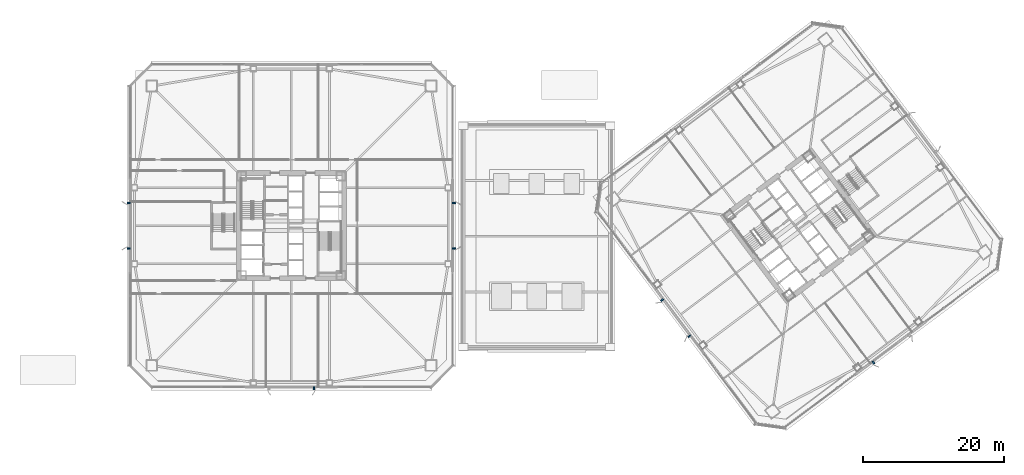
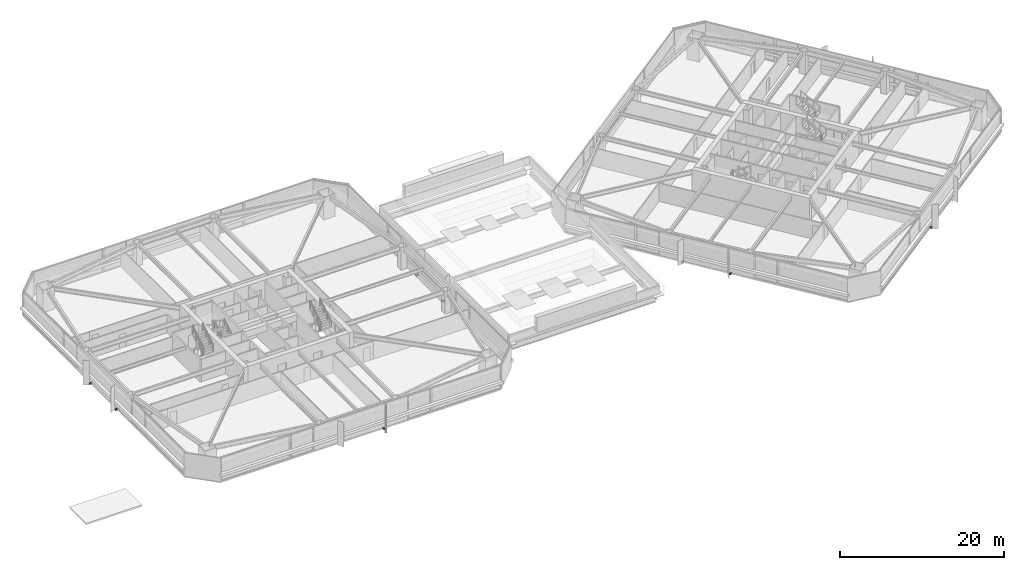
# One storey, part 49 of 62: 8 discrete accessories.
"""IFC4 building model written with IfcOpenShell, lengths in metres."""

from ifc_helpers import new_model, si_unit, direction, frame, origin, origin_2d, place, context, subcontext, project, spatial, rectangle, extrude, material, type_object, element, save


model = new_model("IFC4")

# Units and contexts
model_context = context("Model", 3, precision=1e-05, world=origin(), true_north=direction((0.0, 1.0)))
body_context = subcontext(model_context, "Body", "Model", "MODEL_VIEW")
ifc_project = project(units=[si_unit("LENGTHUNIT", "METRE"), si_unit("AREAUNIT", "SQUARE_METRE"), si_unit("VOLUMEUNIT", "CUBIC_METRE"), si_unit("PLANEANGLEUNIT", "RADIAN"), si_unit("MASSUNIT", "GRAM", prefix="KILO")], contexts=[model_context])

# Site, building, storey
site_placement = place(None, origin())
site = spatial("IfcSite", under=ifc_project, at=site_placement, CompositionType="ELEMENT")
building_placement = place(site_placement, origin())
building = spatial("IfcBuilding", under=site, at=building_placement, Name="Tashvorn Skyway Center", CompositionType="ELEMENT")
storey_placement = place(building_placement, frame((0.0, 0.0, 28.14990234375)))
storey = spatial("IfcBuildingStorey", under=building, at=storey_placement, Name="L06", CompositionType="ELEMENT", Elevation=28.14990234375)

# Discrete accessories
ifc_material = material(Name="Steel ASTM A572 Grade 50", Category="steel")
discrete_accessory_type = type_object("IfcDiscreteAccessoryType", Name="ACC-BRACKET-350", PredefinedType="BRACKET", material=ifc_material)
for number, where, z_axis, x_axis, name in (
    (1, (45.199951171875, 8.93994140625, -0.169921875), (0.0, 0.0, 1.0), (-1.0, 0.0, 0.0), "Tower 1 L06 Solar Screen Fixing Bracket S2"),
    (2, (18.93994140625, 28.800048828125, -0.169921875), (0.0, 0.0, 1.0), (0.0, 1.0, 0.0), "Tower 1 L06 Solar Screen Fixing Bracket W1"),
    (3, (18.93994140625, 35.199951171875, -0.169921875), (0.0, 0.0, 1.0), (0.0, 1.0, 0.0), "Tower 1 L06 Solar Screen Fixing Bracket W2"),
    (4, (65.06005859375, 28.800048828125, -0.169921875), (0.0, 0.0, 1.0), (0.0, -1.0, 0.0), "Tower 1 L06 Solar Screen Fixing Bracket E1"),
    (5, (65.06005859375, 35.199951171875, -0.169921875), (0.0, 0.0, 1.0), (0.0, -1.0, 0.0), "Tower 1 L06 Solar Screen Fixing Bracket E2"),
    (6, (124.555908203125, 12.592041015625, -0.169921875), (0.0, 0.0, 1.0), (-0.799999996291, -0.600000004945, 0.0), "Tower 2 L06 Solar Screen Fixing Bracket S1"),
    (7, (98.431884765625, 16.323974609375, -0.169921875), (0.0, 0.0, 1.0), (-0.600000004945, 0.799999996291, 0.0), "Tower 2 L06 Solar Screen Fixing Bracket W1"),
    (8, (94.592041015625, 21.444091796875, -0.169921875), (0.0, 0.0, 1.0), (-0.600000004945, 0.799999996291, 0.0), "Tower 2 L06 Solar Screen Fixing Bracket W2"),
):
    element("IfcDiscreteAccessory", number, at=place(storey_placement, frame(where, z_axis=z_axis, x_axis=x_axis)), inside=storey, type_object=discrete_accessory_type, Name=name, PredefinedType="BRACKET", context=body_context, shape_type="SweptSolid", body=[
        extrude(rectangle(XDim=0.219970703125, YDim=0.43994140625, at=origin_2d()), origin(), (0.0, 0.0, 1.0), 0.219970703125),
    ])

save(model, "model.ifc")
